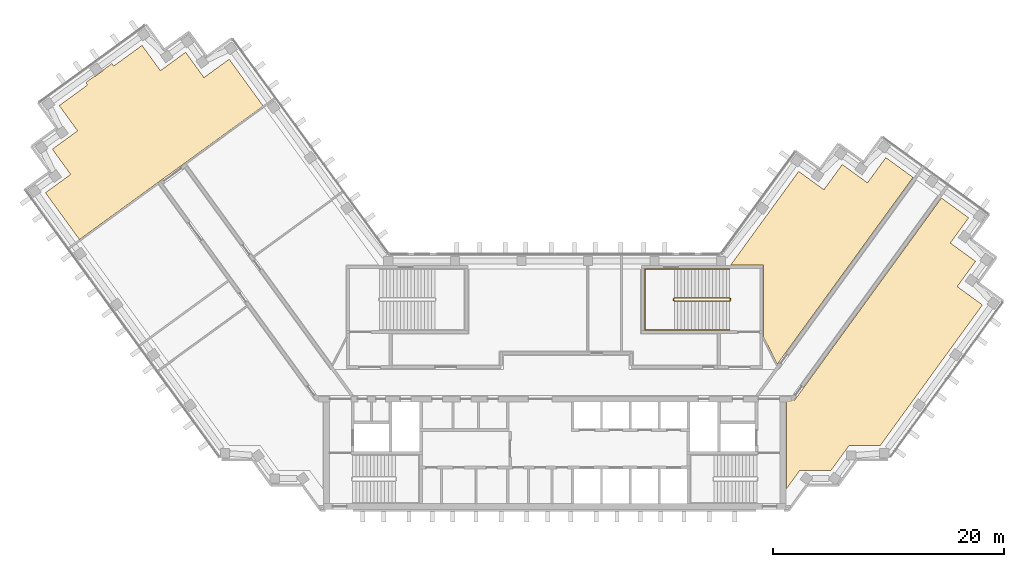
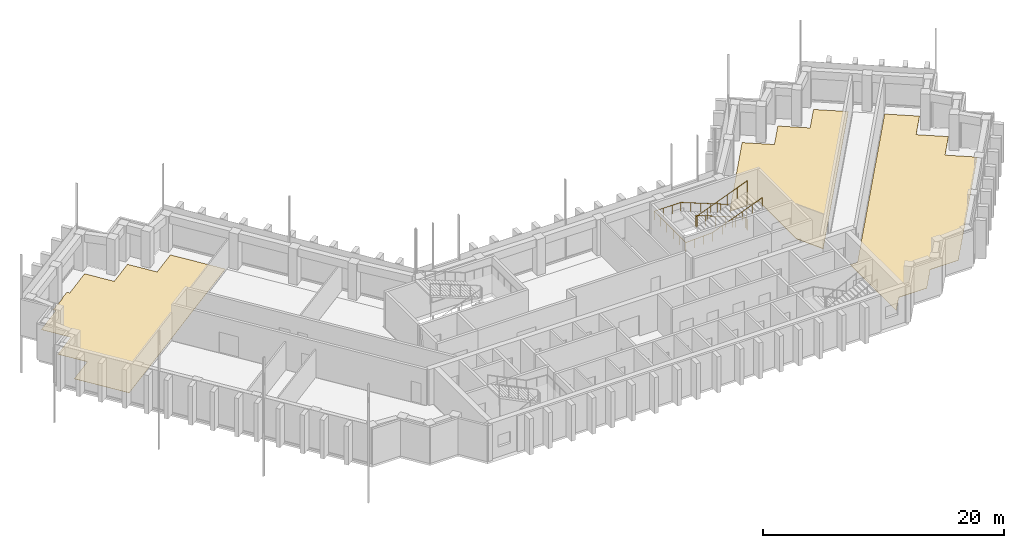
# One storey, part 12 of 12: 3 coverings, 2 railings.
"""IFC4 building model written with IfcOpenShell, lengths in metres."""

from ifc_helpers import new_model, si_unit, direction, frame, origin, origin_2d, place, context, subcontext, project, spatial, polyline, circle, outline, extrude, material, layer, layer_set, type_object, element, save


model = new_model("IFC4")

# Units and contexts
model_context = context("Model", 3, precision=1e-05, world=origin(), true_north=direction((0.0, 1.0)))
body_context = subcontext(model_context, "Body", "Model", "MODEL_VIEW")
ifc_project = project(units=[si_unit("LENGTHUNIT", "METRE"), si_unit("AREAUNIT", "SQUARE_METRE"), si_unit("VOLUMEUNIT", "CUBIC_METRE"), si_unit("PLANEANGLEUNIT", "RADIAN"), si_unit("MASSUNIT", "GRAM", prefix="KILO")], contexts=[model_context])

# Site, building, storey
site_placement = place(None, origin())
site = spatial("IfcSite", under=ifc_project, at=site_placement, CompositionType="ELEMENT")
building_placement = place(site_placement, origin())
building = spatial("IfcBuilding", under=site, at=building_placement, Name="Quipu Civic Tower", CompositionType="ELEMENT")
storey_placement = place(building_placement, frame((0.0, 0.0, 222.0)))
storey = spatial("IfcBuildingStorey", under=building, at=storey_placement, Name="L52", CompositionType="ELEMENT", Elevation=222.0)

# Coverings
ifc_material_1 = material(Name="Carpet tile on raised access floor")
ifc_layer_1 = layer(ifc_material_1, 0.02001953125)
ifc_layer_set_1 = layer_set([ifc_layer_1], Name="Carpet tile on raised access floor")
covering_type_1 = type_object("IfcCoveringType", Name="Carpet tile floor finish 20", PredefinedType="FLOORING", material=ifc_layer_set_1)
covering_1_placement = place(storey_placement, origin())
element("IfcCovering", 1, at=covering_1_placement, inside=storey, type_object=covering_type_1, Name="Carpet tile floor finish 20", PredefinedType="FLOORING", context=body_context, shape_type="SweptSolid", body=[
    extrude(outline(polyline([(-44.074951171875, 16.4140625), (-41.89208984375, 17.9990234375), (-43.47802734375, 20.18505859375), (-41.2939453125, 21.77294921875), (-42.881103515625, 23.95703125), (-40.424072265625, 25.740966796875), (-40.574951171875, 25.952880859375), (-39.81298828125, 26.507080078125), (-39.80908203125, 26.5029296875), (-39.804931640625, 26.5009765625), (-39.801025390625, 26.498046875), (-39.7958984375, 26.49609375), (-39.7919921875, 26.4951171875), (-39.787109375, 26.493896484375), (-39.781982421875, 26.492919921875), (-39.777099609375, 26.492919921875), (-39.77197265625, 26.493896484375), (-39.76806640625, 26.4951171875), (-39.762939453125, 26.49609375), (-39.758056640625, 26.498046875), (-39.75390625, 26.5), (-39.75, 26.5029296875), (-39.10302734375, 26.972900390625), (-39.09912109375, 26.97607421875), (-39.094970703125, 26.97998046875), (-39.092041015625, 26.98291015625), (-39.089111328125, 26.987060546875), (-39.0869140625, 26.991943359375), (-39.0849609375, 26.99609375), (-39.083984375, 27.0009765625), (-39.0830078125, 27.006103515625), (-39.08203125, 27.010986328125), (-39.08203125, 27.014892578125), (-39.08203125, 27.02001953125), (-39.0830078125, 27.02490234375), (-39.0849609375, 27.030029296875), (-39.0869140625, 27.033935546875), (-38.324951171875, 27.587890625), (-38.169921875, 27.37890625), (-35.712890625, 29.1640625), (-34.126953125, 26.97998046875), (-31.94091796875, 28.56591796875), (-30.35400390625, 26.383056640625), (-28.169921875, 27.968994140625), (-25.22607421875, 23.916015625), (-41.131103515625, 12.360107421875), (-44.074951171875, 16.4140625)])), origin(), (0.0, 0.0, 1.0), 0.02001953125),
])
covering_2_placement = place(storey_placement, origin())
element("IfcCovering", 2, at=covering_2_placement, inside=storey, type_object=covering_type_1, Name="Carpet tile floor finish 20", PredefinedType="FLOORING", context=body_context, shape_type="SweptSolid", body=[
    extrude(outline(polyline([(20.070068359375, -9.195068359375), (20.070068359375, -1.52001953125), (20.77490234375, -1.51904296875), (33.472900390625, 15.9580078125), (35.826904296875, 14.248046875), (34.240966796875, 12.06396484375), (36.425048828125, 10.47607421875), (34.839111328125, 8.291015625), (37.02197265625, 6.7060546875), (28.181884765625, -5.4609375), (25.48193359375, -5.4619140625), (23.89501953125, -7.64599609375), (21.196044921875, -7.64599609375), (20.070068359375, -9.195068359375)])), origin(), (0.0, 0.0, 1.0), 0.02001953125),
])
ifc_material_2 = material(Name="Sealed cement screed")
ifc_layer_2 = layer(ifc_material_2, 0.050048828125)
ifc_layer_set_2 = layer_set([ifc_layer_2], Name="Sealed cement screed")
covering_type_2 = type_object("IfcCoveringType", Name="Sealed screed floor finish 50", PredefinedType="FLOORING", material=ifc_layer_set_2)
covering_3_placement = place(storey_placement, origin())
element("IfcCovering", 3, at=covering_3_placement, inside=storey, type_object=covering_type_2, Name="Sealed screed floor finish 50", PredefinedType="FLOORING", context=body_context, shape_type="SweptSolid", body=[
    extrude(outline(polyline([(15.238037109375, 10.169921875), (21.116943359375, 18.260986328125), (23.301025390625, 16.675048828125), (24.887939453125, 18.85791015625), (27.073974609375, 17.27197265625), (28.658935546875, 19.455078125), (31.013916015625, 17.7451171875), (19.27197265625, 1.583984375), (18.070068359375, 3.94189453125), (18.070068359375, 10.1689453125), (15.238037109375, 10.169921875)])), origin(), (0.0, 0.0, 1.0), 0.050048828125),
])

# Railings
ifc_material_3 = material(Name="Stainless steel", Category="steel")
railing_type_1 = type_object("IfcRailingType", Name="Stair guard 1100", PredefinedType="GUARDRAIL", material=ifc_material_3)
railing_1_placement = place(storey_placement, frame((15.14990234375, 7.300048828125, 0.11767578125)))
element("IfcRailing", 4, at=railing_1_placement, inside=storey, type_object=railing_type_1, Name="Stair 4 guard", PredefinedType="GUARDRAIL", context=body_context, shape_type="SweptSolid", body=[
    extrude(circle(Radius=0.02392578125, at=origin_2d()), frame((0.0, 0.0, 1.076171875), z_axis=(-0.930970042603, 0.0, 0.365095576219), x_axis=(0.0, -1.0, 0.0)), (0.0, 0.0, 1.0), 5.15576171875),
    extrude(circle(Radius=0.02392578125, at=origin_2d()), frame((-4.7998046875, 0.0, 2.95849609375), z_axis=(-0.707106781187, -0.707106781187, 0.0), x_axis=(0.707106781187, -0.707106781187, 0.0)), (0.0, 0.0, 1.0), 0.07080078125),
    extrude(circle(Radius=0.02392578125, at=origin_2d()), frame((-4.849853515625, -0.050048828125, 2.95849609375), z_axis=(0.0, -1.0, 0.0), x_axis=(1.0, 0.0, 0.0)), (0.0, 0.0, 1.0), 0.14990234375),
    extrude(circle(Radius=0.02392578125, at=origin_2d()), frame((-4.849853515625, -0.199951171875, 2.95849609375), z_axis=(0.364463019033, -0.364463019033, 0.856932561824), x_axis=(0.707106781187, 0.707106781187, 0.0)), (0.0, 0.0, 1.0), 0.13720703125),
    extrude(circle(Radius=0.02392578125, at=origin_2d()), frame((-4.7998046875, -0.25, 3.076171875), z_axis=(0.930970042603, 0.0, 0.365095576219), x_axis=(0.0, 1.0, 0.0)), (0.0, 0.0, 1.0), 5.15576171875),
    extrude(circle(Radius=0.02392578125, at=origin_2d()), frame((0.0, -0.25, 4.95849609375), z_axis=(0.012495627992, 0.049921557685, -0.998674970829), x_axis=(-0.970072785993, 0.242814311512, 0.0)), (0.0, 0.0, 1.0), 4.00537109375),
    extrude(circle(Radius=0.02392578125, at=origin_2d()), frame((0.050048828125, -0.050048828125, 0.95849609375), z_axis=(0.0, -1.0, 0.0), x_axis=(1.0, 0.0, 0.0)), (0.0, 0.0, 1.0), 0.14990234375),
    extrude(circle(Radius=0.02099609375, at=origin_2d()), origin(), (0.0, 0.0, 1.0), 1.052001953125),
    extrude(circle(Radius=0.02099609375, at=origin_2d()), frame((-0.9599609375, 0.0, 0.37646484375)), (0.0, 0.0, 1.0), 1.052001953125),
    extrude(circle(Radius=0.02099609375, at=origin_2d()), frame((-1.919921875, 0.0, 0.7529296875)), (0.0, 0.0, 1.0), 1.052001953125),
    extrude(circle(Radius=0.02099609375, at=origin_2d()), frame((-2.8798828125, 0.0, 1.12939453125)), (0.0, 0.0, 1.0), 1.052001953125),
    extrude(circle(Radius=0.02099609375, at=origin_2d()), frame((-3.83984375, 0.0, 1.505859375)), (0.0, 0.0, 1.0), 1.052001953125),
    extrude(circle(Radius=0.02099609375, at=origin_2d()), frame((-4.7998046875, 0.0, 1.88232421875)), (0.0, 0.0, 1.0), 1.052001953125),
    extrude(circle(Radius=0.02099609375, at=origin_2d()), frame((-4.849853515625, -0.050048828125, 1.88232421875)), (0.0, 0.0, 1.0), 1.052001953125),
    extrude(circle(Radius=0.02099609375, at=origin_2d()), frame((-4.849853515625, -0.199951171875, 1.88232421875)), (0.0, 0.0, 1.0), 1.052001953125),
    extrude(circle(Radius=0.02099609375, at=origin_2d()), frame((-4.7998046875, -0.25, 2.0)), (0.0, 0.0, 1.0), 1.052001953125),
    extrude(circle(Radius=0.02099609375, at=origin_2d()), frame((-3.83984375, -0.25, 2.37646484375)), (0.0, 0.0, 1.0), 1.052001953125),
    extrude(circle(Radius=0.02099609375, at=origin_2d()), frame((-2.8798828125, -0.25, 2.7529296875)), (0.0, 0.0, 1.0), 1.052001953125),
    extrude(circle(Radius=0.02099609375, at=origin_2d()), frame((-1.919921875, -0.25, 3.12939453125)), (0.0, 0.0, 1.0), 1.052001953125),
    extrude(circle(Radius=0.02099609375, at=origin_2d()), frame((-0.9599609375, -0.25, 3.505859375)), (0.0, 0.0, 1.0), 1.052001953125),
    extrude(circle(Radius=0.02099609375, at=origin_2d()), frame((0.0, -0.25, 3.88232421875)), (0.0, 0.0, 1.0), 1.052001953125),
    extrude(circle(Radius=0.02099609375, at=origin_2d()), frame((0.012451171875, -0.199951171875, 2.88232421875)), (0.0, 0.0, 1.0), 1.052001953125),
    extrude(circle(Radius=0.02099609375, at=origin_2d()), frame((0.02490234375, -0.14990234375, 1.88232421875)), (0.0, 0.0, 1.0), 1.052001953125),
    extrude(circle(Radius=0.02099609375, at=origin_2d()), frame((0.03759765625, -0.10009765625, 0.88232421875)), (0.0, 0.0, 1.0), 1.052001953125),
    extrude(circle(Radius=0.02099609375, at=origin_2d()), frame((0.050048828125, -0.050048828125, -0.11767578125)), (0.0, 0.0, 1.0), 1.052001953125),
    extrude(circle(Radius=0.02099609375, at=origin_2d()), frame((0.050048828125, -0.199951171875, -0.11767578125)), (0.0, 0.0, 1.0), 1.052001953125),
])
ifc_material_4 = material(Name="Stainless steel", Category="steel")
railing_type_2 = type_object("IfcRailingType", Name="Stair handrail", PredefinedType="HANDRAIL", material=ifc_material_4)
railing_2_placement = place(storey_placement, frame((15.14990234375, 9.800048828125, 0.11767578125)))
element("IfcRailing", 5, at=railing_2_placement, inside=storey, type_object=railing_type_2, Name="Stair 4 handrail", PredefinedType="HANDRAIL", context=body_context, shape_type="SweptSolid", body=[
    extrude(circle(Radius=0.02392578125, at=origin_2d()), frame((0.0, 0.0, 0.8759765625), z_axis=(-0.930970042603, 0.0, 0.365095576219), x_axis=(0.0, -1.0, 0.0)), (0.0, 0.0, 1.0), 5.15576171875),
    extrude(circle(Radius=0.02392578125, at=origin_2d()), frame((-4.7998046875, 0.0, 2.75830078125), z_axis=(-1.0, 0.0, 0.0), x_axis=(0.0, -1.0, 0.0)), (0.0, 0.0, 1.0), 2.550048828125),
    extrude(circle(Radius=0.02392578125, at=origin_2d()), frame((-7.349853515625, 0.0, 2.75830078125), z_axis=(0.0, -1.0, 0.0), x_axis=(1.0, 0.0, 0.0)), (0.0, 0.0, 1.0), 5.25),
    extrude(circle(Radius=0.02392578125, at=origin_2d()), frame((-7.349853515625, -5.25, 2.75830078125), z_axis=(0.998936948642, 0.0, 0.04609742549), x_axis=(0.0, 1.0, 0.0)), (0.0, 0.0, 1.0), 2.552734375),
    extrude(circle(Radius=0.02392578125, at=origin_2d()), frame((-4.7998046875, -5.25, 2.8759765625), z_axis=(0.930970042603, 0.0, 0.365095576219), x_axis=(0.0, 1.0, 0.0)), (0.0, 0.0, 1.0), 5.15576171875),
    extrude(circle(Radius=0.02099609375, at=origin_2d()), origin(), (0.0, 0.0, 1.0), 0.851806640625),
    extrude(circle(Radius=0.02099609375, at=origin_2d()), frame((-0.9599609375, 0.0, 0.37646484375)), (0.0, 0.0, 1.0), 0.851806640625),
    extrude(circle(Radius=0.02099609375, at=origin_2d()), frame((-1.919921875, 0.0, 0.7529296875)), (0.0, 0.0, 1.0), 0.851806640625),
    extrude(circle(Radius=0.02099609375, at=origin_2d()), frame((-2.8798828125, 0.0, 1.12939453125)), (0.0, 0.0, 1.0), 0.851806640625),
    extrude(circle(Radius=0.02099609375, at=origin_2d()), frame((-3.83984375, 0.0, 1.505859375)), (0.0, 0.0, 1.0), 0.851806640625),
    extrude(circle(Radius=0.02099609375, at=origin_2d()), frame((-4.7998046875, 0.0, 1.88232421875)), (0.0, 0.0, 1.0), 0.851806640625),
    extrude(circle(Radius=0.02099609375, at=origin_2d()), frame((-5.64990234375, 0.0, 1.88232421875)), (0.0, 0.0, 1.0), 0.851806640625),
    extrude(circle(Radius=0.02099609375, at=origin_2d()), frame((-6.499755859375, 0.0, 1.88232421875)), (0.0, 0.0, 1.0), 0.851806640625),
    extrude(circle(Radius=0.02099609375, at=origin_2d()), frame((-7.349853515625, 0.0, 1.88232421875)), (0.0, 0.0, 1.0), 0.851806640625),
    extrude(circle(Radius=0.02099609375, at=origin_2d()), frame((-7.349853515625, -1.050048828125, 1.88232421875)), (0.0, 0.0, 1.0), 0.851806640625),
    extrude(circle(Radius=0.02099609375, at=origin_2d()), frame((-7.349853515625, -2.10009765625, 1.88232421875)), (0.0, 0.0, 1.0), 0.851806640625),
    extrude(circle(Radius=0.02099609375, at=origin_2d()), frame((-7.349853515625, -3.14990234375, 1.88232421875)), (0.0, 0.0, 1.0), 0.851806640625),
    extrude(circle(Radius=0.02099609375, at=origin_2d()), frame((-7.349853515625, -4.199951171875, 1.88232421875)), (0.0, 0.0, 1.0), 0.851806640625),
    extrude(circle(Radius=0.02099609375, at=origin_2d()), frame((-7.349853515625, -5.25, 1.88232421875)), (0.0, 0.0, 1.0), 0.851806640625),
    extrude(circle(Radius=0.02099609375, at=origin_2d()), frame((-6.499755859375, -5.25, 1.921630859375)), (0.0, 0.0, 1.0), 0.851806640625),
    extrude(circle(Radius=0.02099609375, at=origin_2d()), frame((-5.64990234375, -5.25, 1.960693359375)), (0.0, 0.0, 1.0), 0.851806640625),
    extrude(circle(Radius=0.02099609375, at=origin_2d()), frame((-4.7998046875, -5.25, 2.0)), (0.0, 0.0, 1.0), 0.851806640625),
    extrude(circle(Radius=0.02099609375, at=origin_2d()), frame((-3.83984375, -5.25, 2.37646484375)), (0.0, 0.0, 1.0), 0.851806640625),
    extrude(circle(Radius=0.02099609375, at=origin_2d()), frame((-2.8798828125, -5.25, 2.7529296875)), (0.0, 0.0, 1.0), 0.851806640625),
    extrude(circle(Radius=0.02099609375, at=origin_2d()), frame((-1.919921875, -5.25, 3.12939453125)), (0.0, 0.0, 1.0), 0.851806640625),
    extrude(circle(Radius=0.02099609375, at=origin_2d()), frame((-0.9599609375, -5.25, 3.505859375)), (0.0, 0.0, 1.0), 0.851806640625),
    extrude(circle(Radius=0.02099609375, at=origin_2d()), frame((0.0, -5.25, 3.88232421875)), (0.0, 0.0, 1.0), 0.851806640625),
])

save(model, "model.ifc")
